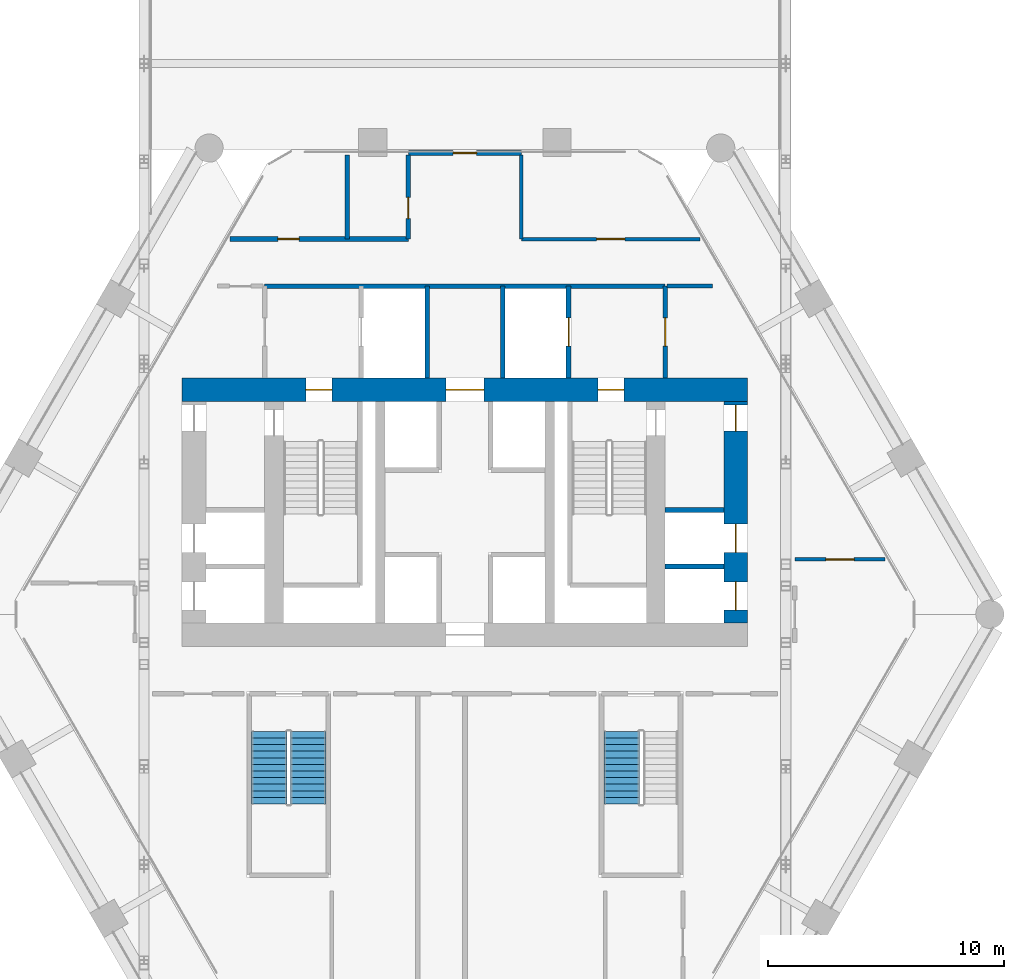
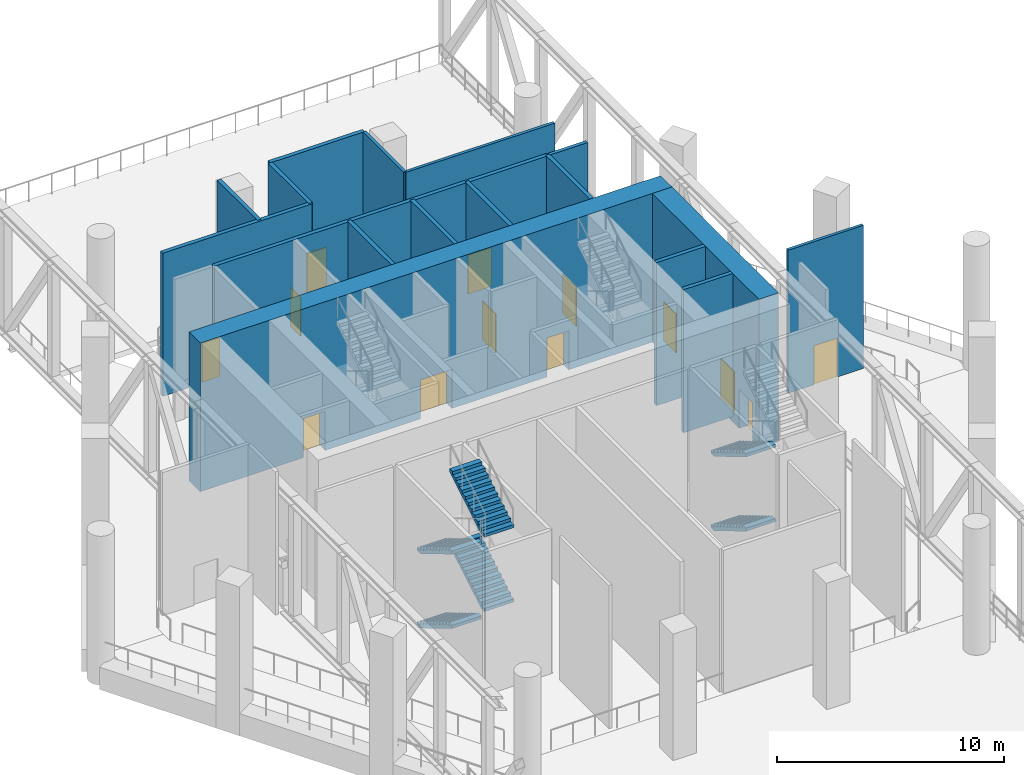
# One storey, part 6 of 16: 17 walls, 13 doors, 6 stair flights, 13 openings, 2 elements without a shape of their own.
"""IFC4 building model written with IfcOpenShell, lengths in metres."""

from ifc_helpers import new_model, si_unit, direction, frame, frame_2d, origin, place, context, subcontext, project, spatial, polyline, rectangle, outline, extrude, material, layer, layer_set, type_object, element, fill, aggregate, save


model = new_model("IFC4")

# Units and contexts
model_context = context("Model", 3, precision=1e-05, world=origin(), true_north=direction((0.0, 1.0)))
body_context = subcontext(model_context, "Body", "Model", "MODEL_VIEW")
ifc_project = project(units=[si_unit("LENGTHUNIT", "METRE"), si_unit("AREAUNIT", "SQUARE_METRE"), si_unit("VOLUMEUNIT", "CUBIC_METRE"), si_unit("PLANEANGLEUNIT", "RADIAN"), si_unit("MASSUNIT", "GRAM", prefix="KILO")], contexts=[model_context])

# Site, building, storey
site_placement = place(None, origin())
site = spatial("IfcSite", under=ifc_project, at=site_placement, CompositionType="ELEMENT")
building_placement = place(site_placement, origin())
building = spatial("IfcBuilding", under=site, at=building_placement, Name="Ostrander Bayou Hotel Tower", CompositionType="ELEMENT")
storey_placement = place(building_placement, frame((0.0, 0.0, 108.0)))
storey = spatial("IfcBuildingStorey", under=building, at=storey_placement, Name="L27", CompositionType="ELEMENT", Elevation=108.0)

# Wall, openings, doors
ifc_material_1 = material(Name="Concrete f'c 70 MPa", Category="concrete")
ifc_layer_1 = layer(ifc_material_1, 1.0)
ifc_layer_set_1 = layer_set([ifc_layer_1], Name="CW4 core wall 1000 mm f'c 70 MPa")
wall_type_1 = type_object("IfcWallType", Name="CW4 core wall 1000 mm f'c 70 MPa", PredefinedType="SHEAR", material=ifc_layer_set_1)
wall_1_placement = place(storey_placement, frame((-12.0, 9.199951171875, -0.300048828125), z_axis=(0.0, 0.0, 1.0), x_axis=(1.0, 0.0, 0.0)))
wall_1 = element("IfcWall", 1, at=wall_1_placement, inside=storey, type_object=wall_type_1, Name="CW4 L27 N", PredefinedType="SHEAR", context=body_context, shape_type="SweptSolid", body=[
    extrude(rectangle(XDim=24.0, YDim=1.0, at=frame_2d((12.0, 0.0))), origin(), (0.0, 0.0, 1.0), 8.0),
])
opening_1_placement = place(wall_1_placement, frame((11.199951171875, 0.0, 0.0)))
opening_1 = element("IfcOpeningElement", 2, at=opening_1_placement, cuts=wall_1, Name="Opening T27-002", PredefinedType="OPENING", context=body_context, shape_type="SweptSolid", body=[
    extrude(rectangle(XDim=1.60009765625, YDim=2.10009765625, at=frame_2d((0.800048828125, 1.050048828125))), frame((0.0, 0.5, 0.0), z_axis=(0.0, -1.0, 0.0), x_axis=(1.0, 0.0, 0.0)), (0.0, 0.0, 1.0), 1.0),
])
opening_2_placement = place(wall_1_placement, frame((5.25, 0.0, 0.0)))
opening_2 = element("IfcOpeningElement", 3, at=opening_2_placement, cuts=wall_1, Name="Opening T27-003", PredefinedType="OPENING", context=body_context, shape_type="SweptSolid", body=[
    extrude(rectangle(XDim=1.10009765625, YDim=2.10009765625, at=frame_2d((0.550048828125, 1.050048828125))), frame((0.0, 0.5, 0.0), z_axis=(0.0, -1.0, 0.0), x_axis=(1.0, 0.0, 0.0)), (0.0, 0.0, 1.0), 1.0),
])
opening_3_placement = place(wall_1_placement, frame((17.64990234375, 0.0, 0.0)))
opening_3 = element("IfcOpeningElement", 4, at=opening_3_placement, cuts=wall_1, Name="Opening T27-005", PredefinedType="OPENING", context=body_context, shape_type="SweptSolid", body=[
    extrude(rectangle(XDim=1.10009765625, YDim=2.10009765625, at=frame_2d((0.550048828125, 1.050048828125))), frame((0.0, 0.5, 0.0), z_axis=(0.0, -1.0, 0.0), x_axis=(1.0, 0.0, 0.0)), (0.0, 0.0, 1.0), 1.0),
])
ifc_material_2 = material(Name="Timber door leaf", Category="wood")
door_type_1 = type_object("IfcDoorType", Name="D13 double door 1600 x 2100 mm, 1 hour", OperationType="SINGLE_SWING_LEFT", PredefinedType="DOOR", material=ifc_material_2)
door_1_placement = place(opening_1_placement, origin())
door_1 = element("IfcDoor", 5, at=door_1_placement, inside=storey, type_object=door_type_1, Name="dr:L27:002", OperationType="DOUBLE_DOOR_SINGLE_SWING", OverallHeight=2.10009765625, OverallWidth=1.60009765625, PredefinedType="DOOR", context=body_context, shape_type="SweptSolid", body=[
    extrude(rectangle(XDim=1.60009765625, YDim=2.10009765625, at=frame_2d((0.800048828125, 1.050048828125))), frame((0.0, 0.02490234375, 0.0), z_axis=(0.0, -1.0, 0.0), x_axis=(1.0, 0.0, 0.0)), (0.0, 0.0, 1.0), 0.050048828125),
])
fill(opening_1, door_1)
ifc_material_3 = material(Name="Timber door leaf", Category="wood")
door_type_2 = type_object("IfcDoorType", Name="D5 stair door 1100 x 2100 mm, 90 minute", OperationType="SINGLE_SWING_LEFT", PredefinedType="DOOR", material=ifc_material_3)
door_2_placement = place(opening_2_placement, origin())
door_2 = element("IfcDoor", 6, at=door_2_placement, inside=storey, type_object=door_type_2, Name="dr:L27:003", OperationType="SINGLE_SWING_LEFT", OverallHeight=2.10009765625, OverallWidth=1.10009765625, PredefinedType="DOOR", context=body_context, shape_type="SweptSolid", body=[
    extrude(rectangle(XDim=1.10009765625, YDim=2.10009765625, at=frame_2d((0.550048828125, 1.050048828125))), frame((0.0, 0.02490234375, 0.0), z_axis=(0.0, -1.0, 0.0), x_axis=(1.0, 0.0, 0.0)), (0.0, 0.0, 1.0), 0.050048828125),
])
fill(opening_2, door_2)
door_3_placement = place(opening_3_placement, origin())
door_3 = element("IfcDoor", 7, at=door_3_placement, inside=storey, type_object=door_type_2, Name="dr:L27:005", OperationType="SINGLE_SWING_RIGHT", OverallHeight=2.10009765625, OverallWidth=1.10009765625, PredefinedType="DOOR", context=body_context, shape_type="SweptSolid", body=[
    extrude(rectangle(XDim=1.10009765625, YDim=2.10009765625, at=frame_2d((0.550048828125, 1.050048828125))), frame((0.0, 0.02490234375, 0.0), z_axis=(0.0, -1.0, 0.0), x_axis=(1.0, 0.0, 0.0)), (0.0, 0.0, 1.0), 0.050048828125),
])
fill(opening_3, door_3)

wall_2_placement = place(storey_placement, frame((11.5, -0.699951171875, -0.300048828125), z_axis=(0.0, 0.0, 1.0), x_axis=(0.0, 1.0, 0.0)))
wall_2 = element("IfcWall", 8, at=wall_2_placement, inside=storey, type_object=wall_type_1, Name="CW4 L27 RE", PredefinedType="SHEAR", context=body_context, shape_type="SweptSolid", body=[
    extrude(rectangle(XDim=9.39990234375, YDim=1.0, at=frame_2d((4.699951171875, 0.0))), origin(), (0.0, 0.0, 1.0), 8.0),
])
opening_4_placement = place(wall_2_placement, frame((8.14990234375, 0.0, 0.0)))
opening_4 = element("IfcOpeningElement", 9, at=opening_4_placement, cuts=wall_2, Name="Opening T27-016", PredefinedType="OPENING", context=body_context, shape_type="SweptSolid", body=[
    extrude(rectangle(XDim=1.10009765625, YDim=2.10009765625, at=frame_2d((0.550048828125, 1.050048828125))), frame((0.0, 0.5, 0.0), z_axis=(0.0, -1.0, 0.0), x_axis=(1.0, 0.0, 0.0)), (0.0, 0.0, 1.0), 1.0),
])
opening_5_placement = place(wall_2_placement, frame((0.550048828125, 0.0, 0.0)))
opening_5 = element("IfcOpeningElement", 10, at=opening_5_placement, cuts=wall_2, Name="Opening T27-017", PredefinedType="OPENING", context=body_context, shape_type="SweptSolid", body=[
    extrude(rectangle(XDim=1.199951171875, YDim=2.10009765625, at=frame_2d((0.60009765625, 1.050048828125))), frame((0.0, 0.5, 0.0), z_axis=(0.0, -1.0, 0.0), x_axis=(1.0, 0.0, 0.0)), (0.0, 0.0, 1.0), 1.0),
])
opening_6_placement = place(wall_2_placement, frame((3.0, 0.0, 0.0)))
opening_6 = element("IfcOpeningElement", 11, at=opening_6_placement, cuts=wall_2, Name="Opening T27-018", PredefinedType="OPENING", context=body_context, shape_type="SweptSolid", body=[
    extrude(rectangle(XDim=1.199951171875, YDim=2.10009765625, at=frame_2d((0.60009765625, 1.050048828125))), frame((0.0, 0.5, 0.0), z_axis=(0.0, -1.0, 0.0), x_axis=(1.0, 0.0, 0.0)), (0.0, 0.0, 1.0), 1.0),
])
door_4_placement = place(opening_4_placement, origin())
door_4 = element("IfcDoor", 12, at=door_4_placement, inside=storey, type_object=door_type_2, Name="dr:L27:016", OperationType="SINGLE_SWING_RIGHT", OverallHeight=2.10009765625, OverallWidth=1.10009765625, PredefinedType="DOOR", context=body_context, shape_type="SweptSolid", body=[
    extrude(rectangle(XDim=1.10009765625, YDim=2.10009765625, at=frame_2d((0.550048828125, 1.050048828125))), frame((0.0, 0.02490234375, 0.0), z_axis=(0.0, -1.0, 0.0), x_axis=(1.0, 0.0, 0.0)), (0.0, 0.0, 1.0), 0.050048828125),
])
fill(opening_4, door_4)
ifc_material_4 = material(Name="Stainless steel sliding door", Category="steel")
door_type_3 = type_object("IfcDoorType", Name="LD1 lift landing door 1200 x 2100 mm", OperationType="SINGLE_SWING_LEFT", PredefinedType="DOOR", material=ifc_material_4)
door_5_placement = place(opening_5_placement, origin())
door_5 = element("IfcDoor", 13, at=door_5_placement, inside=storey, type_object=door_type_3, Name="dr:L27:017", OperationType="SLIDING_TO_LEFT", OverallHeight=2.10009765625, OverallWidth=1.199951171875, PredefinedType="DOOR", context=body_context, shape_type="SweptSolid", body=[
    extrude(rectangle(XDim=1.199951171875, YDim=2.10009765625, at=frame_2d((0.60009765625, 1.050048828125))), frame((0.0, 0.02490234375, 0.0), z_axis=(0.0, -1.0, 0.0), x_axis=(1.0, 0.0, 0.0)), (0.0, 0.0, 1.0), 0.050048828125),
])
fill(opening_5, door_5)
door_6_placement = place(opening_6_placement, origin())
door_6 = element("IfcDoor", 14, at=door_6_placement, inside=storey, type_object=door_type_3, Name="dr:L27:018", OperationType="SLIDING_TO_LEFT", OverallHeight=2.10009765625, OverallWidth=1.199951171875, PredefinedType="DOOR", context=body_context, shape_type="SweptSolid", body=[
    extrude(rectangle(XDim=1.199951171875, YDim=2.10009765625, at=frame_2d((0.60009765625, 1.050048828125))), frame((0.0, 0.02490234375, 0.0), z_axis=(0.0, -1.0, 0.0), x_axis=(1.0, 0.0, 0.0)), (0.0, 0.0, 1.0), 0.050048828125),
])
fill(opening_6, door_6)

# Wall, opening, door
ifc_material_5 = material(Name="Gypsum board partition", Category="finish")
ifc_layer_2 = layer(ifc_material_5, 0.199951171875)
ifc_layer_set_2 = layer_set([ifc_layer_2], Name="PT3 demising wall 200 mm acoustic double stud, 1 hour")
wall_type_2 = type_object("IfcWallType", Name="PT3 demising wall 200 mm acoustic double stud, 1 hour", PredefinedType="PARTITIONING", material=ifc_layer_set_2)
wall_3_placement = place(storey_placement, frame((-9.979736328125, 15.60009765625, 0.0), z_axis=(0.0, 0.0, 1.0), x_axis=(1.0, 0.0, 0.0)))
wall_3 = element("IfcWall", 15, at=wall_3_placement, inside=storey, type_object=wall_type_2, Name="sw:L27:010", PredefinedType="PARTITIONING", context=body_context, shape_type="SweptSolid", body=[
    extrude(rectangle(XDim=7.579833984375, YDim=0.199951171875, at=frame_2d((3.7900390625, 0.0))), origin(), (0.0, 0.0, 1.0), 7.699951171875),
])
opening_7_placement = place(wall_3_placement, frame((2.039794921875, 0.0, 0.0)))
opening_7 = element("IfcOpeningElement", 16, at=opening_7_placement, cuts=wall_3, Name="Opening T27-211", PredefinedType="OPENING", context=body_context, shape_type="SweptSolid", body=[
    extrude(rectangle(XDim=0.89990234375, YDim=2.10009765625, at=frame_2d((0.449951171875, 1.050048828125))), frame((0.0, 0.10009765625, 0.0), z_axis=(0.0, -1.0, 0.0), x_axis=(1.0, 0.0, 0.0)), (0.0, 0.0, 1.0), 0.199951171875),
])
ifc_material_6 = material(Name="Timber door leaf", Category="wood")
door_type_4 = type_object("IfcDoorType", Name="D8 room door 900 x 2100 mm", OperationType="SINGLE_SWING_LEFT", PredefinedType="DOOR", material=ifc_material_6)
door_7_placement = place(opening_7_placement, origin())
door_7 = element("IfcDoor", 17, at=door_7_placement, inside=storey, type_object=door_type_4, Name="dr:L27:211", OperationType="SINGLE_SWING_LEFT", OverallHeight=2.10009765625, OverallWidth=0.89990234375, PredefinedType="DOOR", context=body_context, shape_type="SweptSolid", body=[
    extrude(rectangle(XDim=0.89990234375, YDim=2.10009765625, at=frame_2d((0.449951171875, 1.050048828125))), frame((0.0, 0.02490234375, 0.0), z_axis=(0.0, -1.0, 0.0), x_axis=(1.0, 0.0, 0.0)), (0.0, 0.0, 1.0), 0.050048828125),
])
fill(opening_7, door_7)

# Wall
wall_4_placement = place(storey_placement, frame((-5.0, 15.60009765625, 0.0), z_axis=(0.0, 0.0, 1.0), x_axis=(0.0, 1.0, 0.0)))
element("IfcWall", 18, at=wall_4_placement, inside=storey, type_object=wall_type_2, Name="sw:L27:011", PredefinedType="PARTITIONING", context=body_context, shape_type="SweptSolid", body=[
    extrude(rectangle(XDim=3.56982421875, YDim=0.199951171875, at=frame_2d((1.784912109375, 0.0))), origin(), (0.0, 0.0, 1.0), 7.699951171875),
])

# Wall, opening, door
wall_5_placement = place(storey_placement, frame((-2.39990234375, 15.60009765625, 0.0), z_axis=(0.0, 0.0, 1.0), x_axis=(0.0, 1.0, 0.0)))
wall_5 = element("IfcWall", 19, at=wall_5_placement, inside=storey, type_object=wall_type_2, Name="sw:L27:012", PredefinedType="PARTITIONING", context=body_context, shape_type="SweptSolid", body=[
    extrude(rectangle(XDim=3.56982421875, YDim=0.199951171875, at=frame_2d((1.784912109375, 0.0))), origin(), (0.0, 0.0, 1.0), 7.699951171875),
])
opening_8_placement = place(wall_5_placement, frame((0.87060546875, 0.0, 0.0)))
opening_8 = element("IfcOpeningElement", 20, at=opening_8_placement, cuts=wall_5, Name="Opening T27-212", PredefinedType="OPENING", context=body_context, shape_type="SweptSolid", body=[
    extrude(rectangle(XDim=0.89990234375, YDim=2.10009765625, at=frame_2d((0.449951171875, 1.050048828125))), frame((0.0, 0.10009765625, 0.0), z_axis=(0.0, -1.0, 0.0), x_axis=(1.0, 0.0, 0.0)), (0.0, 0.0, 1.0), 0.199951171875),
])
door_8_placement = place(opening_8_placement, origin())
door_8 = element("IfcDoor", 21, at=door_8_placement, inside=storey, type_object=door_type_4, Name="dr:L27:212", OperationType="SINGLE_SWING_RIGHT", OverallHeight=2.10009765625, OverallWidth=0.89990234375, PredefinedType="DOOR", context=body_context, shape_type="SweptSolid", body=[
    extrude(rectangle(XDim=0.89990234375, YDim=2.10009765625, at=frame_2d((0.449951171875, 1.050048828125))), frame((0.0, 0.02490234375, 0.0), z_axis=(0.0, -1.0, 0.0), x_axis=(1.0, 0.0, 0.0)), (0.0, 0.0, 1.0), 0.050048828125),
])
fill(opening_8, door_8)

# Walls
ifc_material_7 = material(Name="Gypsum board partition", Category="finish")
ifc_layer_3 = layer(ifc_material_7, 0.175048828125)
ifc_layer_set_3 = layer_set([ifc_layer_3], Name="PT4 corridor wall 175 mm, 1 hour")
wall_type_3 = type_object("IfcWallType", Name="PT4 corridor wall 175 mm, 1 hour", PredefinedType="PARTITIONING", material=ifc_layer_set_3)
wall_6_placement = place(storey_placement, frame((8.580078125, 13.60009765625, 0.0), z_axis=(0.0, 0.0, 1.0), x_axis=(1.0, 0.0, 0.0)))
element("IfcWall", 22, at=wall_6_placement, inside=storey, type_object=wall_type_3, Name="sw:L27:006", PredefinedType="PARTITIONING", context=body_context, shape_type="SweptSolid", body=[
    extrude(rectangle(XDim=1.919921875, YDim=0.175048828125, at=frame_2d((0.9599609375, 0.0))), origin(), (0.0, 0.0, 1.0), 7.699951171875),
])
ifc_material_8 = material(Name="Masonry block", Category="masonry")
ifc_layer_4 = layer(ifc_material_8, 0.199951171875)
ifc_layer_set_4 = layer_set([ifc_layer_4], Name="PT5 stair enclosure wall 200 mm masonry, 2 hour")
wall_type_4 = type_object("IfcWallType", Name="PT5 stair enclosure wall 200 mm masonry, 2 hour", PredefinedType="PARTITIONING", material=ifc_layer_set_4)
wall_7_placement = place(storey_placement, frame((-8.5, 13.60009765625, 0.0), z_axis=(0.0, 0.0, 1.0), x_axis=(1.0, 0.0, 0.0)))
element("IfcWall", 23, at=wall_7_placement, inside=storey, type_object=wall_type_4, Name="cs:L27:021", PredefinedType="PARTITIONING", context=body_context, shape_type="SweptSolid", body=[
    extrude(rectangle(XDim=17.0, YDim=0.199951171875, at=frame_2d((8.5, 0.0))), origin(), (0.0, 0.0, 1.0), 7.699951171875),
])

# Wall, opening, door
wall_8_placement = place(storey_placement, frame((8.5, 9.699951171875, 0.0), z_axis=(0.0, 0.0, 1.0), x_axis=(0.0, 1.0, 0.0)))
wall_8 = element("IfcWall", 24, at=wall_8_placement, inside=storey, type_object=wall_type_4, Name="cs:L27:023", PredefinedType="PARTITIONING", context=body_context, shape_type="SweptSolid", body=[
    extrude(rectangle(XDim=3.900146484375, YDim=0.199951171875, at=frame_2d((1.9501953125, 0.0))), origin(), (0.0, 0.0, 1.0), 7.699951171875),
])
opening_9_placement = place(wall_8_placement, frame((1.35009765625, 0.0, 0.0)))
opening_9 = element("IfcOpeningElement", 25, at=opening_9_placement, cuts=wall_8, Name="Opening T27-012", PredefinedType="OPENING", context=body_context, shape_type="SweptSolid", body=[
    extrude(rectangle(XDim=1.199951171875, YDim=2.10009765625, at=frame_2d((0.60009765625, 1.050048828125))), frame((0.0, 0.10009765625, 0.0), z_axis=(0.0, -1.0, 0.0), x_axis=(1.0, 0.0, 0.0)), (0.0, 0.0, 1.0), 0.199951171875),
])
ifc_material_9 = material(Name="Timber door leaf", Category="wood")
door_type_5 = type_object("IfcDoorType", Name="D7 lobby door 1200 x 2100 mm, 1 hour", OperationType="SINGLE_SWING_LEFT", PredefinedType="DOOR", material=ifc_material_9)
door_9_placement = place(opening_9_placement, origin())
door_9 = element("IfcDoor", 26, at=door_9_placement, inside=storey, type_object=door_type_5, Name="dr:L27:012", OperationType="SINGLE_SWING_LEFT", OverallHeight=2.10009765625, OverallWidth=1.199951171875, PredefinedType="DOOR", context=body_context, shape_type="SweptSolid", body=[
    extrude(rectangle(XDim=1.199951171875, YDim=2.10009765625, at=frame_2d((0.60009765625, 1.050048828125))), frame((0.0, 0.02490234375, 0.0), z_axis=(0.0, -1.0, 0.0), x_axis=(1.0, 0.0, 0.0)), (0.0, 0.0, 1.0), 0.050048828125),
])
fill(opening_9, door_9)

wall_9_placement = place(storey_placement, frame((4.39990234375, 9.699951171875, 0.0), z_axis=(0.0, 0.0, 1.0), x_axis=(0.0, 1.0, 0.0)))
wall_9 = element("IfcWall", 27, at=wall_9_placement, inside=storey, type_object=wall_type_4, Name="cs:L27:025", PredefinedType="PARTITIONING", context=body_context, shape_type="SweptSolid", body=[
    extrude(rectangle(XDim=3.900146484375, YDim=0.199951171875, at=frame_2d((1.9501953125, 0.0))), origin(), (0.0, 0.0, 1.0), 7.699951171875),
])
opening_10_placement = place(wall_9_placement, frame((1.35009765625, 0.0, 0.0)))
opening_10 = element("IfcOpeningElement", 28, at=opening_10_placement, cuts=wall_9, Name="Opening T27-011", PredefinedType="OPENING", context=body_context, shape_type="SweptSolid", body=[
    extrude(rectangle(XDim=1.199951171875, YDim=2.10009765625, at=frame_2d((0.60009765625, 1.050048828125))), frame((0.0, 0.10009765625, 0.0), z_axis=(0.0, -1.0, 0.0), x_axis=(1.0, 0.0, 0.0)), (0.0, 0.0, 1.0), 0.199951171875),
])
door_10_placement = place(opening_10_placement, origin())
door_10 = element("IfcDoor", 29, at=door_10_placement, inside=storey, type_object=door_type_3, Name="dr:L27:011", OperationType="SLIDING_TO_LEFT", OverallHeight=2.10009765625, OverallWidth=1.199951171875, PredefinedType="DOOR", context=body_context, shape_type="SweptSolid", body=[
    extrude(rectangle(XDim=1.199951171875, YDim=2.10009765625, at=frame_2d((0.60009765625, 1.050048828125))), frame((0.0, 0.02490234375, 0.0), z_axis=(0.0, -1.0, 0.0), x_axis=(1.0, 0.0, 0.0)), (0.0, 0.0, 1.0), 0.050048828125),
])
fill(opening_10, door_10)

# Walls
ifc_material_10 = material(Name="Masonry block", Category="masonry")
ifc_layer_5 = layer(ifc_material_10, 0.199951171875)
ifc_layer_set_5 = layer_set([ifc_layer_5], Name="PT6 lift shaft wall 200 mm masonry, 2 hour")
wall_type_5 = type_object("IfcWallType", Name="PT6 lift shaft wall 200 mm masonry, 2 hour", PredefinedType="PARTITIONING", material=ifc_layer_set_5)
for number, where, z_axis, x_axis, name in (
    (30, (-1.60009765625, 9.699951171875, 0.0), (0.0, 0.0, 1.0), (0.0, 1.0, 0.0), "cs:L27:026"),
    (31, (1.60009765625, 9.699951171875, 0.0), (0.0, 0.0, 1.0), (0.0, 1.0, 0.0), "cs:L27:027"),
):
    element("IfcWall", number, at=place(storey_placement, frame(where, z_axis=z_axis, x_axis=x_axis)), inside=storey, type_object=wall_type_5, Name=name, PredefinedType="PARTITIONING", context=body_context, shape_type="SweptSolid", body=[
        extrude(rectangle(XDim=3.900146484375, YDim=0.199951171875, at=frame_2d((1.9501953125, 0.0))), origin(), (0.0, 0.0, 1.0), 7.699951171875),
    ])
for number, where, z_axis, x_axis, name in (
    (32, (8.5, 1.699951171875, 0.0), (0.0, 0.0, 1.0), (1.0, 0.0, 0.0), "cs:L27:030"),
    (33, (8.5, 4.10009765625, 0.0), (0.0, 0.0, 1.0), (1.0, 0.0, 0.0), "cs:L27:031"),
):
    element("IfcWall", number, at=place(storey_placement, frame(where, z_axis=z_axis, x_axis=x_axis)), inside=storey, type_object=wall_type_5, Name=name, PredefinedType="PARTITIONING", context=body_context, shape_type="SweptSolid", body=[
        extrude(rectangle(XDim=2.5, YDim=0.199951171875, at=frame_2d((1.25, 0.0))), origin(), (0.0, 0.0, 1.0), 7.699951171875),
    ])

# Wall, opening, door
ifc_material_11 = material(Name="Gypsum board partition", Category="finish")
ifc_layer_6 = layer(ifc_material_11, 0.14990234375)
ifc_layer_set_6 = layer_set([ifc_layer_6], Name="PT7 riser wall 150 mm, 2 hour")
wall_type_6 = type_object("IfcWallType", Name="PT7 riser wall 150 mm, 2 hour", PredefinedType="PARTITIONING", material=ifc_layer_set_6)
wall_10_placement = place(storey_placement, frame((14.0, 2.0, 0.0), z_axis=(0.0, 0.0, 1.0), x_axis=(1.0, 0.0, 0.0)))
wall_10 = element("IfcWall", 34, at=wall_10_placement, inside=storey, type_object=wall_type_6, Name="sw:L27:015", PredefinedType="PARTITIONING", context=body_context, shape_type="SweptSolid", body=[
    extrude(rectangle(XDim=3.831787109375, YDim=0.14990234375, at=frame_2d((1.916015625, 0.0))), origin(), (0.0, 0.0, 1.0), 7.699951171875),
])
opening_11_placement = place(wall_10_placement, frame((1.31591796875, 0.0, 0.0)))
opening_11 = element("IfcOpeningElement", 35, at=opening_11_placement, cuts=wall_10, Name="Opening T27-210", PredefinedType="OPENING", context=body_context, shape_type="SweptSolid", body=[
    extrude(rectangle(XDim=1.199951171875, YDim=2.10009765625, at=frame_2d((0.60009765625, 1.050048828125))), frame((0.0, 0.074951171875, 0.0), z_axis=(0.0, -1.0, 0.0), x_axis=(1.0, 0.0, 0.0)), (0.0, 0.0, 1.0), 0.14990234375),
])
ifc_material_12 = material(Name="Timber door leaf", Category="wood")
door_type_6 = type_object("IfcDoorType", Name="D10 plant room door 1200 x 2100 mm, 1 hour", OperationType="SINGLE_SWING_LEFT", PredefinedType="DOOR", material=ifc_material_12)
door_11_placement = place(opening_11_placement, origin())
door_11 = element("IfcDoor", 36, at=door_11_placement, inside=storey, type_object=door_type_6, Name="dr:L27:210", OperationType="SINGLE_SWING_RIGHT", OverallHeight=2.10009765625, OverallWidth=1.199951171875, PredefinedType="DOOR", context=body_context, shape_type="SweptSolid", body=[
    extrude(rectangle(XDim=1.199951171875, YDim=2.10009765625, at=frame_2d((0.60009765625, 1.050048828125))), frame((0.0, 0.02490234375, 0.0), z_axis=(0.0, -1.0, 0.0), x_axis=(1.0, 0.0, 0.0)), (0.0, 0.0, 1.0), 0.050048828125),
])
fill(opening_11, door_11)

wall_11_placement = place(storey_placement, frame((2.39990234375, 15.60009765625, 0.0), z_axis=(0.0, 0.0, 1.0), x_axis=(1.0, 0.0, 0.0)))
wall_11 = element("IfcWall", 37, at=wall_11_placement, inside=storey, type_object=wall_type_6, Name="sw:L27:016", PredefinedType="PARTITIONING", context=body_context, shape_type="SweptSolid", body=[
    extrude(rectangle(XDim=7.579833984375, YDim=0.14990234375, at=frame_2d((3.7900390625, 0.0))), origin(), (0.0, 0.0, 1.0), 7.699951171875),
])
opening_12_placement = place(wall_11_placement, frame((3.18994140625, 0.0, 0.0)))
opening_12 = element("IfcOpeningElement", 38, at=opening_12_placement, cuts=wall_11, Name="Opening T27-213", PredefinedType="OPENING", context=body_context, shape_type="SweptSolid", body=[
    extrude(rectangle(XDim=1.199951171875, YDim=2.10009765625, at=frame_2d((0.60009765625, 1.050048828125))), frame((0.0, 0.074951171875, 0.0), z_axis=(0.0, -1.0, 0.0), x_axis=(1.0, 0.0, 0.0)), (0.0, 0.0, 1.0), 0.14990234375),
])
door_12_placement = place(opening_12_placement, origin())
door_12 = element("IfcDoor", 39, at=door_12_placement, inside=storey, type_object=door_type_6, Name="dr:L27:213", OperationType="SINGLE_SWING_LEFT", OverallHeight=2.10009765625, OverallWidth=1.199951171875, PredefinedType="DOOR", context=body_context, shape_type="SweptSolid", body=[
    extrude(rectangle(XDim=1.199951171875, YDim=2.10009765625, at=frame_2d((0.60009765625, 1.050048828125))), frame((0.0, 0.02490234375, 0.0), z_axis=(0.0, -1.0, 0.0), x_axis=(1.0, 0.0, 0.0)), (0.0, 0.0, 1.0), 0.050048828125),
])
fill(opening_12, door_12)

# Wall
wall_12_placement = place(storey_placement, frame((2.39990234375, 15.60009765625, 0.0), z_axis=(0.0, 0.0, 1.0), x_axis=(0.0, 1.0, 0.0)))
element("IfcWall", 40, at=wall_12_placement, inside=storey, type_object=wall_type_6, Name="sw:L27:018", PredefinedType="PARTITIONING", context=body_context, shape_type="SweptSolid", body=[
    extrude(rectangle(XDim=3.56982421875, YDim=0.14990234375, at=frame_2d((1.784912109375, 0.0))), origin(), (0.0, 0.0, 1.0), 7.699951171875),
])

# Wall, opening, door
ifc_material_13 = material(Name="Masonry block", Category="masonry")
ifc_layer_7 = layer(ifc_material_13, 0.199951171875)
ifc_layer_set_7 = layer_set([ifc_layer_7], Name="PT9 exterior screen wall 200 mm masonry, 1 hour")
wall_type_7 = type_object("IfcWallType", Name="PT9 exterior screen wall 200 mm masonry, 1 hour", PredefinedType="PARTITIONING", material=ifc_layer_set_7)
wall_13_placement = place(storey_placement, frame((-2.39990234375, 19.25, 0.0), z_axis=(0.0, 0.0, 1.0), x_axis=(1.0, 0.0, 0.0)))
wall_13 = element("IfcWall", 41, at=wall_13_placement, inside=storey, type_object=wall_type_7, Name="sw:L27:021", PredefinedType="PARTITIONING", context=body_context, shape_type="SweptSolid", body=[
    extrude(rectangle(XDim=4.7998046875, YDim=0.199951171875, at=frame_2d((2.39990234375, 0.0))), origin(), (0.0, 0.0, 1.0), 7.699951171875),
])
opening_13_placement = place(wall_13_placement, frame((1.89990234375, 0.0, 0.0)))
opening_13 = element("IfcOpeningElement", 42, at=opening_13_placement, cuts=wall_13, Name="Opening T27-215", PredefinedType="OPENING", context=body_context, shape_type="SweptSolid", body=[
    extrude(rectangle(XDim=1.0, YDim=2.10009765625, at=frame_2d((0.5, 1.050048828125))), frame((0.0, 0.10009765625, 0.0), z_axis=(0.0, -1.0, 0.0), x_axis=(1.0, 0.0, 0.0)), (0.0, 0.0, 1.0), 0.199951171875),
])
ifc_material_14 = material(Name="Timber door leaf", Category="wood")
door_type_7 = type_object("IfcDoorType", Name="D4 corridor door 1000 x 2100 mm, 1 hour", OperationType="SINGLE_SWING_LEFT", PredefinedType="DOOR", material=ifc_material_14)
door_13_placement = place(opening_13_placement, origin())
door_13 = element("IfcDoor", 43, at=door_13_placement, inside=storey, type_object=door_type_7, Name="dr:L27:215", OperationType="SINGLE_SWING_LEFT", OverallHeight=2.10009765625, OverallWidth=1.0, PredefinedType="DOOR", context=body_context, shape_type="SweptSolid", body=[
    extrude(rectangle(XDim=1.0, YDim=2.10009765625, at=frame_2d((0.5, 1.050048828125))), frame((0.0, 0.02490234375, 0.0), z_axis=(0.0, -1.0, 0.0), x_axis=(1.0, 0.0, 0.0)), (0.0, 0.0, 1.0), 0.050048828125),
])
fill(opening_13, door_13)

# Stair, stair flights
ifc_material_15 = material(Name="Concrete f'c 45 MPa", Category="concrete")
stair_type = type_object("IfcStairType", Name="ST1 exit stair 1500 mm f'c 45 MPa", PredefinedType="HALF_TURN_STAIR", material=ifc_material_15)
stair_1_placement = place(storey_placement, origin())
stair_1 = element("IfcStair", 44, at=stair_1_placement, inside=storey, type_object=stair_type, Name="L27 exit stair C", PredefinedType="HALF_TURN_STAIR")
ifc_material_16 = material(Name="Concrete f'c 45 MPa", Category="concrete")
stair_flight_type = type_object("IfcStairFlightType", Name="SF1 stair flight 1500 mm f'c 45 MPa", PredefinedType="STRAIGHT", material=ifc_material_16)
stair_flight_1_placement = place(storey_placement, frame((6.64990234375, -5.300048828125, 0.0), z_axis=(0.0, 0.0, 1.0), x_axis=(0.0, -1.0, 0.0)))
stair_flight_1 = element("IfcStairFlight", 45, at=stair_flight_1_placement, type_object=stair_flight_type, Name="STC flight 1", NumberOfRisers=12, NumberOfTreads=11, PredefinedType="STRAIGHT", RiserHeight=0.166666667, TreadLength=0.28, context=body_context, shape_type="SweptSolid", body=[
    extrude(outline(polyline([(0.0, 0.0), (0.0, 0.166748046875), (0.280029296875, 0.166748046875), (0.280029296875, 0.333251953125), (0.56005859375, 0.333251953125), (0.56005859375, 0.5), (0.840087890625, 0.5), (0.840087890625, 0.666748046875), (1.1201171875, 0.666748046875), (1.1201171875, 0.833251953125), (1.39990234375, 0.833251953125), (1.39990234375, 1.0), (1.679931640625, 1.0), (1.679931640625, 1.166748046875), (1.9599609375, 1.166748046875), (1.9599609375, 1.333251953125), (2.239990234375, 1.333251953125), (2.239990234375, 1.5), (2.52001953125, 1.5), (2.52001953125, 1.666748046875), (2.800048828125, 1.666748046875), (2.800048828125, 1.833251953125), (3.080078125, 1.833251953125), (3.080078125, 2.0), (3.080078125, 1.658935546875), (0.29296875, 0.0), (0.0, 0.0)])), frame((0.0, 0.75, 0.0), z_axis=(0.0, -1.0, 0.0), x_axis=(1.0, 0.0, 0.0)), (0.0, 0.0, 1.0), 1.5),
])
stair_flight_2_placement = place(storey_placement, frame((6.64990234375, -5.300048828125, 4.0), z_axis=(0.0, 0.0, 1.0), x_axis=(0.0, -1.0, 0.0)))
stair_flight_2 = element("IfcStairFlight", 46, at=stair_flight_2_placement, type_object=stair_flight_type, Name="STC flight 3", NumberOfRisers=12, NumberOfTreads=11, PredefinedType="STRAIGHT", RiserHeight=0.166666667, TreadLength=0.28, context=body_context, shape_type="SweptSolid", body=[
    extrude(outline(polyline([(0.0, 0.0), (0.0, 0.166748046875), (0.280029296875, 0.166748046875), (0.280029296875, 0.333251953125), (0.56005859375, 0.333251953125), (0.56005859375, 0.5), (0.840087890625, 0.5), (0.840087890625, 0.666748046875), (1.1201171875, 0.666748046875), (1.1201171875, 0.833251953125), (1.39990234375, 0.833251953125), (1.39990234375, 1.0), (1.679931640625, 1.0), (1.679931640625, 1.166748046875), (1.9599609375, 1.166748046875), (1.9599609375, 1.333251953125), (2.239990234375, 1.333251953125), (2.239990234375, 1.5), (2.52001953125, 1.5), (2.52001953125, 1.666748046875), (2.800048828125, 1.666748046875), (2.800048828125, 1.833251953125), (3.080078125, 1.833251953125), (3.080078125, 2.0), (3.080078125, 1.658935546875), (0.29296875, 0.0), (0.0, 0.0)])), frame((0.0, 0.75, 0.0), z_axis=(0.0, -1.0, 0.0), x_axis=(1.0, 0.0, 0.0)), (0.0, 0.0, 1.0), 1.5),
])
aggregate(stair_1, [stair_flight_1, stair_flight_2])

stair_2_placement = place(storey_placement, origin())
stair_2 = element("IfcStair", 47, at=stair_2_placement, inside=storey, type_object=stair_type, Name="L27 exit stair D", PredefinedType="HALF_TURN_STAIR")
stair_flight_3_placement = place(storey_placement, frame((-8.300048828125, -5.300048828125, 0.0), z_axis=(0.0, 0.0, 1.0), x_axis=(0.0, -1.0, 0.0)))
stair_flight_3 = element("IfcStairFlight", 48, at=stair_flight_3_placement, type_object=stair_flight_type, Name="STD flight 1", NumberOfRisers=12, NumberOfTreads=11, PredefinedType="STRAIGHT", RiserHeight=0.166666667, TreadLength=0.28, context=body_context, shape_type="SweptSolid", body=[
    extrude(outline(polyline([(0.0, 0.0), (0.0, 0.166748046875), (0.280029296875, 0.166748046875), (0.280029296875, 0.333251953125), (0.56005859375, 0.333251953125), (0.56005859375, 0.5), (0.840087890625, 0.5), (0.840087890625, 0.666748046875), (1.1201171875, 0.666748046875), (1.1201171875, 0.833251953125), (1.39990234375, 0.833251953125), (1.39990234375, 1.0), (1.679931640625, 1.0), (1.679931640625, 1.166748046875), (1.9599609375, 1.166748046875), (1.9599609375, 1.333251953125), (2.239990234375, 1.333251953125), (2.239990234375, 1.5), (2.52001953125, 1.5), (2.52001953125, 1.666748046875), (2.800048828125, 1.666748046875), (2.800048828125, 1.833251953125), (3.080078125, 1.833251953125), (3.080078125, 2.0), (3.080078125, 1.658935546875), (0.29296875, 0.0), (0.0, 0.0)])), frame((0.0, 0.75, 0.0), z_axis=(0.0, -1.0, 0.0), x_axis=(1.0, 0.0, 0.0)), (0.0, 0.0, 1.0), 1.5),
])
stair_flight_4_placement = place(storey_placement, frame((-6.64990234375, -8.3798828125, 2.0), z_axis=(0.0, 0.0, 1.0), x_axis=(0.0, 1.0, 0.0)))
stair_flight_4 = element("IfcStairFlight", 49, at=stair_flight_4_placement, type_object=stair_flight_type, Name="STD flight 2", NumberOfRisers=12, NumberOfTreads=11, PredefinedType="STRAIGHT", RiserHeight=0.166666667, TreadLength=0.28, context=body_context, shape_type="SweptSolid", body=[
    extrude(outline(polyline([(0.0, 0.0), (0.0, 0.166748046875), (0.280029296875, 0.166748046875), (0.280029296875, 0.333251953125), (0.56005859375, 0.333251953125), (0.56005859375, 0.5), (0.840087890625, 0.5), (0.840087890625, 0.666748046875), (1.1201171875, 0.666748046875), (1.1201171875, 0.833251953125), (1.39990234375, 0.833251953125), (1.39990234375, 1.0), (1.679931640625, 1.0), (1.679931640625, 1.166748046875), (1.9599609375, 1.166748046875), (1.9599609375, 1.333251953125), (2.239990234375, 1.333251953125), (2.239990234375, 1.5), (2.52001953125, 1.5), (2.52001953125, 1.666748046875), (2.800048828125, 1.666748046875), (2.800048828125, 1.833251953125), (3.080078125, 1.833251953125), (3.080078125, 2.0), (3.080078125, 1.658935546875), (0.29296875, 0.0), (0.0, 0.0)])), frame((0.0, 0.75, 0.0), z_axis=(0.0, -1.0, 0.0), x_axis=(1.0, 0.0, 0.0)), (0.0, 0.0, 1.0), 1.5),
])
stair_flight_5_placement = place(storey_placement, frame((-8.300048828125, -5.300048828125, 4.0), z_axis=(0.0, 0.0, 1.0), x_axis=(0.0, -1.0, 0.0)))
stair_flight_5 = element("IfcStairFlight", 50, at=stair_flight_5_placement, type_object=stair_flight_type, Name="STD flight 3", NumberOfRisers=12, NumberOfTreads=11, PredefinedType="STRAIGHT", RiserHeight=0.166666667, TreadLength=0.28, context=body_context, shape_type="SweptSolid", body=[
    extrude(outline(polyline([(0.0, 0.0), (0.0, 0.166748046875), (0.280029296875, 0.166748046875), (0.280029296875, 0.333251953125), (0.56005859375, 0.333251953125), (0.56005859375, 0.5), (0.840087890625, 0.5), (0.840087890625, 0.666748046875), (1.1201171875, 0.666748046875), (1.1201171875, 0.833251953125), (1.39990234375, 0.833251953125), (1.39990234375, 1.0), (1.679931640625, 1.0), (1.679931640625, 1.166748046875), (1.9599609375, 1.166748046875), (1.9599609375, 1.333251953125), (2.239990234375, 1.333251953125), (2.239990234375, 1.5), (2.52001953125, 1.5), (2.52001953125, 1.666748046875), (2.800048828125, 1.666748046875), (2.800048828125, 1.833251953125), (3.080078125, 1.833251953125), (3.080078125, 2.0), (3.080078125, 1.658935546875), (0.29296875, 0.0), (0.0, 0.0)])), frame((0.0, 0.75, 0.0), z_axis=(0.0, -1.0, 0.0), x_axis=(1.0, 0.0, 0.0)), (0.0, 0.0, 1.0), 1.5),
])
stair_flight_6_placement = place(storey_placement, frame((-6.64990234375, -8.3798828125, 6.0), z_axis=(0.0, 0.0, 1.0), x_axis=(0.0, 1.0, 0.0)))
stair_flight_6 = element("IfcStairFlight", 51, at=stair_flight_6_placement, type_object=stair_flight_type, Name="STD flight 4", NumberOfRisers=12, NumberOfTreads=11, PredefinedType="STRAIGHT", RiserHeight=0.166666667, TreadLength=0.28, context=body_context, shape_type="SweptSolid", body=[
    extrude(outline(polyline([(0.0, 0.0), (0.0, 0.166748046875), (0.280029296875, 0.166748046875), (0.280029296875, 0.333251953125), (0.56005859375, 0.333251953125), (0.56005859375, 0.5), (0.840087890625, 0.5), (0.840087890625, 0.666748046875), (1.1201171875, 0.666748046875), (1.1201171875, 0.833251953125), (1.39990234375, 0.833251953125), (1.39990234375, 1.0), (1.679931640625, 1.0), (1.679931640625, 1.166748046875), (1.9599609375, 1.166748046875), (1.9599609375, 1.333251953125), (2.239990234375, 1.333251953125), (2.239990234375, 1.5), (2.52001953125, 1.5), (2.52001953125, 1.666748046875), (2.800048828125, 1.666748046875), (2.800048828125, 1.833251953125), (3.080078125, 1.833251953125), (3.080078125, 2.0), (3.080078125, 1.658935546875), (0.29296875, 0.0), (0.0, 0.0)])), frame((0.0, 0.75, 0.0), z_axis=(0.0, -1.0, 0.0), x_axis=(1.0, 0.0, 0.0)), (0.0, 0.0, 1.0), 1.5),
])
aggregate(stair_2, [stair_flight_3, stair_flight_4, stair_flight_5, stair_flight_6])

save(model, "model.ifc")
